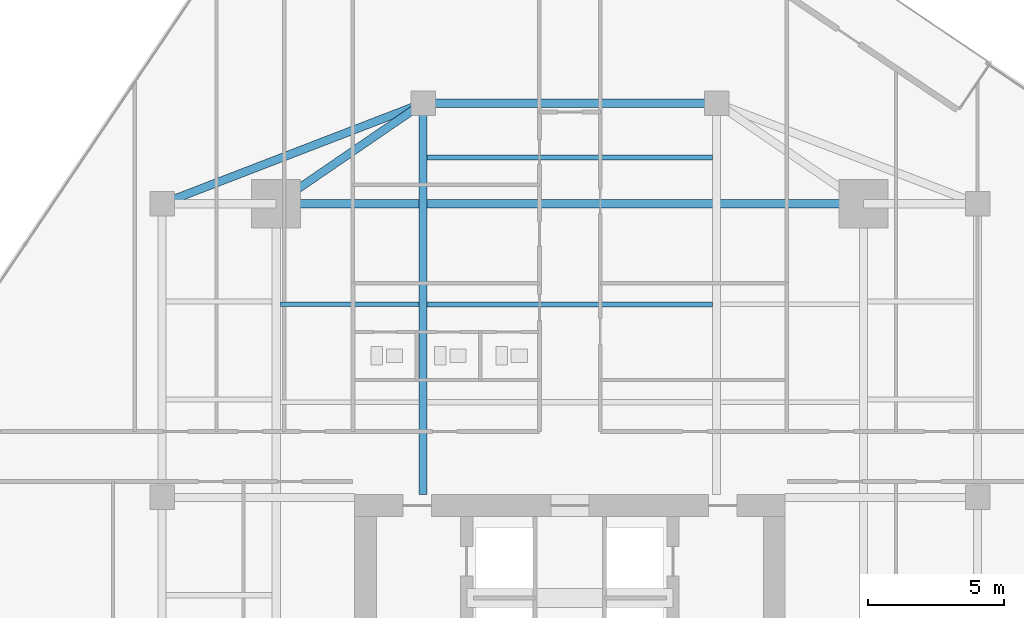
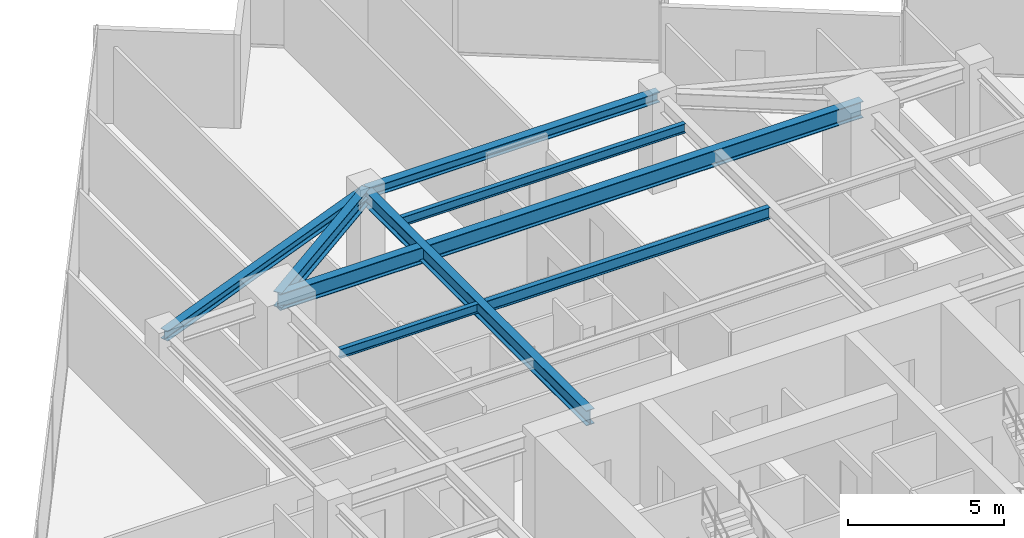
# One storey, part 15 of 27: 8 beams.
"""IFC4 building model written with IfcOpenShell, lengths in metres."""

import ifcopenshell
import ifcopenshell.guid

model = None  # the IFC model being written
_history = None  # IfcOwnerHistory: only IFC2X3 demands one
_inside = {}  # id of a spatial element -> (the spatial element, [elements in it])
_under = {}  # id of a project, library or spatial element -> (it, [spatial elements below it])
_declared = {}  # id of a project -> (the project, [libraries it declares])
_typed = {}  # id of a type object -> (the type object, [elements of that type])
_made_of = {}  # id of a material, layer set ... -> (it, [elements and type objects made of it])


def new_model(schema):
    """Start an empty IFC model of exactly this schema.

    Asked for "IFC4X3", IfcOpenShell would pick the latest addendum, in which some entities
    have other attributes; the version numbers below select the first issue.
    IFC2X3 requires an IfcOwnerHistory on every rooted entity: one is made here for all.
    """
    global model, _history
    if schema == "IFC4X3":
        model = ifcopenshell.file(schema_version=(4, 3, 0, 0))
    else:
        model = ifcopenshell.file(schema=schema)
    _inside.clear()
    _under.clear()
    _declared.clear()
    _typed.clear()
    _made_of.clear()
    _history = None
    if model.schema == "IFC2X3":
        org = make("IfcOrganization", Name="unknown")
        user = make(
            "IfcPersonAndOrganization",
            ThePerson=make("IfcPerson", FamilyName="unknown"),
            TheOrganization=org,
        )
        app = make(
            "IfcApplication",
            ApplicationDeveloper=org,
            Version="unknown",
            ApplicationFullName="unknown",
            ApplicationIdentifier="unknown",
        )
        _history = make(
            "IfcOwnerHistory",
            OwningUser=user,
            OwningApplication=app,
            ChangeAction="ADDED",
            CreationDate=0,
        )
    return model


def make(cls, **values):
    """One entity of the class cls with the attributes given. An attribute that is None is left unset."""
    return model.create_entity(
        cls, **{name: value for name, value in values.items() if value is not None}
    )


def rooted(cls, **values):
    """An entity with a GlobalId (a new one), such as an element, a storey or a relation."""
    return make(cls, GlobalId=ifcopenshell.guid.new(), OwnerHistory=_history, **values)


def si_unit(unit_type, name, prefix=None):
    """IfcSIUnit, for example si_unit("LENGTHUNIT", "METRE", prefix="MILLI")."""
    return make("IfcSIUnit", UnitType=unit_type, Prefix=prefix, Name=name)


def assignment(units):
    """IfcUnitAssignment: the units of a project."""
    return None if units is None else make("IfcUnitAssignment", Units=units)


def point(xyz):
    """IfcCartesianPoint."""
    return None if xyz is None else make("IfcCartesianPoint", Coordinates=xyz)


def direction(xyz):
    """IfcDirection."""
    return None if xyz is None else make("IfcDirection", DirectionRatios=xyz)


def frame(location, z_axis=None, x_axis=None):
    """IfcAxis2Placement3D, a coordinate frame: its origin and axes. An axis left out is left unset."""
    return make(
        "IfcAxis2Placement3D",
        Location=point(location),
        Axis=direction(z_axis),
        RefDirection=direction(x_axis),
    )


def frame_2d(location, x_axis=None):
    """IfcAxis2Placement2D, a coordinate frame in the plane: its origin and x axis."""
    return make(
        "IfcAxis2Placement2D", Location=point(location), RefDirection=direction(x_axis)
    )


def origin():
    """The frame at (0, 0, 0) with its axes left unset."""
    return frame((0.0, 0.0, 0.0))


def origin_2d():
    """The frame at (0, 0) in the plane with its x axis left unset."""
    return frame_2d((0.0, 0.0))


def place(relative_to, where):
    """IfcLocalPlacement: puts the frame where relative to a parent placement (None: the world)."""
    return make(
        "IfcLocalPlacement", PlacementRelTo=relative_to, RelativePlacement=where
    )


def context(
    kind, dimensions, precision=None, world=None, true_north=None, identifier=None
):
    """IfcGeometricRepresentationContext, for example the 3D "Model" context."""
    return make(
        "IfcGeometricRepresentationContext",
        ContextIdentifier=identifier,
        ContextType=kind,
        CoordinateSpaceDimension=dimensions,
        Precision=precision,
        WorldCoordinateSystem=world,
        TrueNorth=true_north,
    )


def subcontext(parent, identifier, kind, view, scale=None):
    """IfcGeometricRepresentationSubContext, for example "Body" below "Model"."""
    return make(
        "IfcGeometricRepresentationSubContext",
        ContextIdentifier=identifier,
        ContextType=kind,
        ParentContext=parent,
        TargetScale=scale,
        TargetView=view,
    )


def project(units=None, contexts=None):
    """IfcProject with its units and contexts."""
    return rooted(
        "IfcProject",
        Name="project",
        RepresentationContexts=contexts,
        UnitsInContext=assignment(units),
    )


def spatial(cls, under=None, at=None, **own):
    """A site, building, storey or space (cls), placed at a placement, below another one or the project."""
    s = rooted(cls, ObjectPlacement=at, **own)
    if under is not None:
        _under.setdefault(under.id(), (under, []))[1].append(s)
    return s


def profile(cls, at=None, kind="AREA", **sizes):
    """A parametric profile (cls). Its sizes go by their IFC names, for example OverallWidth=200.0."""
    return make(cls, ProfileType=kind, Position=at, **sizes)


def i_section(**sizes):
    """IfcIShapeProfileDef."""
    return profile("IfcIShapeProfileDef", **sizes)


def extrude(swept, where, along, depth):
    """IfcExtrudedAreaSolid: the profile swept, set in the frame where, extruded along a direction by depth."""
    return make(
        "IfcExtrudedAreaSolid",
        SweptArea=swept,
        Position=where,
        ExtrudedDirection=direction(along),
        Depth=depth,
    )


def shape(context_of_items, identifier, shape_type, items):
    """IfcShapeRepresentation: the items that make up one representation, for example the "Body"."""
    return make(
        "IfcShapeRepresentation",
        ContextOfItems=context_of_items,
        RepresentationIdentifier=identifier,
        RepresentationType=shape_type,
        Items=items,
    )


def source(mapping_origin, context_of_items, identifier, shape_type, items):
    """IfcRepresentationMap: a shape defined once, which mapped items show again and again."""
    return make(
        "IfcRepresentationMap",
        MappingOrigin=mapping_origin,
        MappedRepresentation=shape(context_of_items, identifier, shape_type, items),
    )


def transform(
    local_origin,
    x_axis=None,
    y_axis=None,
    z_axis=None,
    scale=None,
    scale2=None,
    scale3=None,
    uniform=True,
):
    """IfcCartesianTransformationOperator3D, or its non-uniform kind. x_axis, y_axis, z_axis: its Axis1, 2, 3."""
    if uniform:
        return make(
            "IfcCartesianTransformationOperator3D",
            Axis1=direction(x_axis),
            Axis2=direction(y_axis),
            LocalOrigin=point(local_origin),
            Scale=scale,
            Axis3=direction(z_axis),
        )
    return make(
        "IfcCartesianTransformationOperator3DnonUniform",
        Axis1=direction(x_axis),
        Axis2=direction(y_axis),
        LocalOrigin=point(local_origin),
        Scale=scale,
        Axis3=direction(z_axis),
        Scale2=scale2,
        Scale3=scale3,
    )


def mapped(mapping_source, mapping_target):
    """IfcMappedItem: shows the shape of a source again, moved by a transform."""
    return make(
        "IfcMappedItem", MappingSource=mapping_source, MappingTarget=mapping_target
    )


def material(Name=None, Category=None):
    """IfcMaterial."""
    return make("IfcMaterial", Name=Name, Category=Category)


def material_profile(
    of_material, cross_section, Name=None, Category=None, Priority=None
):
    """IfcMaterialProfile: a cross section and its material."""
    return make(
        "IfcMaterialProfile",
        Name=Name,
        Material=of_material,
        Profile=cross_section,
        Priority=Priority,
        Category=Category,
    )


def profile_set(profiles, Name=None, composite=None):
    """IfcMaterialProfileSet."""
    return make(
        "IfcMaterialProfileSet",
        Name=Name,
        MaterialProfiles=profiles,
        CompositeProfile=composite,
    )


def made_of(thing, what):
    """Note that an element or type object is made of a material, layer set ...; save() writes the relation."""
    if what is not None:
        _made_of.setdefault(what.id(), (what, []))[1].append(thing)
    return thing


def type_object(cls, material=None, **own):
    """A type object (cls), such as IfcWallType, which elements share."""
    return made_of(rooted(cls, **own), material)


def type_shapes(of_type, sources):
    """Give a type object the sources (RepresentationMaps) that its elements show as mapped items."""
    of_type.RepresentationMaps = sources


def element(
    cls,
    number,
    at=None,
    inside=None,
    cuts=None,
    type_object=None,
    material=None,
    context=None,
    identifier="Body",
    shape_type=None,
    held_by="IfcProductDefinitionShape",
    body=None,
    shapes=None,
    **own,
):
    """One element of the class cls, such as IfcWall. Its Tag is "e" and its number.

    at: its placement. inside: the storey or other place that contains it. cuts: it is an
    opening in that element (IfcRelVoidsElement). A single representation is given by context,
    identifier, shape_type and body (its items); several are given by shapes. held_by: the class
    of the entity that holds the representations. save() writes the other relations.
    """
    e = rooted(cls, Tag="e%d" % number, ObjectPlacement=at, **own)
    if body is not None:
        shapes = [shape(context, identifier, shape_type, body)]
    if shapes is not None:
        e.Representation = make(held_by, Representations=shapes)
    if inside is not None:
        _inside.setdefault(inside.id(), (inside, []))[1].append(e)
    if cuts is not None:
        rooted(
            "IfcRelVoidsElement", RelatingBuildingElement=cuts, RelatedOpeningElement=e
        )
    if type_object is not None:
        _typed.setdefault(type_object.id(), (type_object, []))[1].append(e)
    return made_of(e, material)


def aggregate(whole, parts):
    """IfcRelAggregates: a whole, such as a stair, and the parts it consists of."""
    return rooted("IfcRelAggregates", RelatingObject=whole, RelatedObjects=parts)


def save(model, path):
    """Write the relations noted so far, then the file.

    IfcRelAggregates (storeys below a building ...), IfcRelContainedInSpatialStructure (elements
    in a storey), IfcRelDefinesByType, IfcRelAssociatesMaterial and IfcRelDeclares: one each for
    every whole, place, type object, material and project.
    """
    for whole, parts in _under.values():
        aggregate(whole, parts)
    for where, things in _inside.values():
        rooted(
            "IfcRelContainedInSpatialStructure",
            RelatedElements=things,
            RelatingStructure=where,
        )
    for kind, things in _typed.values():
        rooted("IfcRelDefinesByType", RelatedObjects=things, RelatingType=kind)
    for what, things in _made_of.values():
        rooted("IfcRelAssociatesMaterial", RelatedObjects=things, RelatingMaterial=what)
    for by, libraries in _declared.values():
        rooted("IfcRelDeclares", RelatingContext=by, RelatedDefinitions=libraries)
    model.write(path)


model = new_model("IFC4")

# Units and contexts
model_context = context("Model", 3, precision=1e-05, world=origin(), true_north=direction((0.0, 1.0)))
body_context = subcontext(model_context, "Body", "Model", "MODEL_VIEW")
ifc_project = project(units=[si_unit("LENGTHUNIT", "METRE"), si_unit("AREAUNIT", "SQUARE_METRE"), si_unit("VOLUMEUNIT", "CUBIC_METRE"), si_unit("PLANEANGLEUNIT", "RADIAN"), si_unit("MASSUNIT", "GRAM", prefix="KILO")], contexts=[model_context])

# Site, building, storey
site_placement = place(None, origin())
site = spatial("IfcSite", under=ifc_project, at=site_placement, CompositionType="ELEMENT")
building_placement = place(site_placement, origin())
building = spatial("IfcBuilding", under=site, at=building_placement, Name="Krantzveldt Concourse Tower", CompositionType="ELEMENT")
storey_placement = place(building_placement, frame((0.0, 0.0, 185.699951171875)))
storey = spatial("IfcBuildingStorey", under=building, at=storey_placement, Name="L45", CompositionType="ELEMENT", Elevation=185.699951171875)

# Beams
ifc_material = material(Name="Steel S355JR", Category="steel")
ifc_material_profile_1 = material_profile(ifc_material, i_section(OverallWidth=0.300048828125, OverallDepth=0.639892578125, WebThickness=0.013427734375, FlangeThickness=0.02587890625, FilletRadius=0.027099609375, at=origin_2d()), Name="Steel S355JR", Category="steel")
ifc_profile_set_1 = profile_set([ifc_material_profile_1], Name="Steel S355JR - HEA 650")
beam_type_1 = type_object("IfcBeamType", Name="BM-B-HEA650", PredefinedType="BEAM", material=ifc_profile_set_1)
shared_shape_1 = source(origin(), body_context, "Body", "SweptSolid", [
    extrude(i_section(OverallWidth=0.300048828125, OverallDepth=0.639892578125, WebThickness=0.013427734375, FlangeThickness=0.02587890625, FilletRadius=0.027099609375, at=origin_2d()), origin(), (0.0, 0.0, 1.0), 21.60009765625),
])
type_shapes(beam_type_1, [shared_shape_1])
beam_1_placement = place(storey_placement, frame((25.199951171875, 37.5, 3.35009765625), z_axis=(1.0, 0.0, 0.0), x_axis=(0.0, 1.0, 0.0)))
element("IfcBeam", 1, at=beam_1_placement, inside=storey, type_object=beam_type_1, Name="L45 Tower Girder BG-MN", PredefinedType="BEAM", context=body_context, shape_type="MappedRepresentation", body=[
    mapped(shared_shape_1, transform((0.0, 0.0, 0.0), x_axis=(1.0, 0.0, 0.0), y_axis=(0.0, 1.0, 0.0), z_axis=(0.0, 0.0, 1.0), scale=1.0)),
])
ifc_material_profile_2 = material_profile(ifc_material, i_section(OverallWidth=0.300048828125, OverallDepth=0.590087890625, WebThickness=0.012939453125, FlangeThickness=0.02490234375, FilletRadius=0.027099609375, at=origin_2d()), Name="Steel S355JR", Category="steel")
ifc_profile_set_2 = profile_set([ifc_material_profile_2], Name="Steel S355JR - HEA 600")
beam_type_2 = type_object("IfcBeamType", Name="BM-B-HEA600", PredefinedType="BEAM", material=ifc_profile_set_2)
shared_shape_2 = source(origin(), body_context, "Body", "SweptSolid", [
    extrude(i_section(OverallWidth=0.300048828125, OverallDepth=0.590087890625, WebThickness=0.012939453125, FlangeThickness=0.02490234375, FilletRadius=0.027099609375, at=origin_2d()), origin(), (0.0, 0.0, 1.0), 14.39990234375),
])
beam_2_placement = place(storey_placement, frame((30.60009765625, 26.800048828125, 3.375), z_axis=(0.0, 1.0, 0.0), x_axis=(-1.0, 0.0, 0.0)))
element("IfcBeam", 2, at=beam_2_placement, inside=storey, type_object=beam_type_2, Name="L45 Tower Girder BG-CNW", PredefinedType="BEAM", context=body_context, shape_type="MappedRepresentation", body=[
    mapped(shared_shape_2, transform((0.0, 0.0, 0.0), x_axis=(1.0, 0.0, 0.0), y_axis=(0.0, 1.0, 0.0), z_axis=(0.0, 0.0, 1.0), scale=1.0)),
])
shared_shape_3 = source(origin(), body_context, "Body", "SweptSolid", [
    extrude(i_section(OverallWidth=0.300048828125, OverallDepth=0.590087890625, WebThickness=0.012939453125, FlangeThickness=0.02490234375, FilletRadius=0.027099609375, at=origin_2d()), origin(), (0.0, 0.0, 1.0), 6.546142578125),
])
type_shapes(beam_type_2, [shared_shape_2, shared_shape_3])
beam_3_placement = place(storey_placement, frame((25.199951171875, 37.5, 3.375), z_axis=(0.824942999484, 0.565215930068, 0.0), x_axis=(-0.565215930068, 0.824942999484, 0.0)))
element("IfcBeam", 3, at=beam_3_placement, inside=storey, type_object=beam_type_2, Name="L45 Tower Girder BR-RL4", PredefinedType="BEAM", context=body_context, shape_type="MappedRepresentation", body=[
    mapped(shared_shape_3, transform((0.0, 0.0, 0.0), x_axis=(1.0, 0.0, 0.0), y_axis=(0.0, 1.0, 0.0), z_axis=(0.0, 0.0, 1.0), scale=1.0)),
])
ifc_material_profile_3 = material_profile(ifc_material, i_section(OverallWidth=0.18994140625, OverallDepth=0.449951171875, WebThickness=0.009521484375, FlangeThickness=0.0146484375, FilletRadius=0.02099609375, at=origin_2d()), Name="Steel S355JR", Category="steel")
ifc_profile_set_3 = profile_set([ifc_material_profile_3], Name="Steel S355JR - IPE 450")
beam_type_3 = type_object("IfcBeamType", Name="BM-J-IPE450", PredefinedType="JOIST", material=ifc_profile_set_3)
shared_shape_4 = source(origin(), body_context, "Body", "SweptSolid", [
    extrude(i_section(OverallWidth=0.18994140625, OverallDepth=0.449951171875, WebThickness=0.009521484375, FlangeThickness=0.0146484375, FilletRadius=0.02099609375, at=origin_2d()), origin(), (0.0, 0.0, 1.0), 10.5),
])
type_shapes(beam_type_3, [shared_shape_4])
beam_4_placement = place(storey_placement, frame((30.75, 33.800048828125, 3.445068359375), z_axis=(1.0, 0.0, 0.0), x_axis=(0.0, 1.0, 0.0)))
element("IfcBeam", 4, at=beam_4_placement, inside=storey, type_object=beam_type_3, Name="L45 Secondary Floor Joist JN-C2", PredefinedType="JOIST", context=body_context, shape_type="MappedRepresentation", body=[
    mapped(shared_shape_4, transform((0.0, 0.0, 0.0), x_axis=(1.0, 0.0, 0.0), y_axis=(0.0, 1.0, 0.0), z_axis=(0.0, 0.0, 1.0), scale=1.0)),
])
ifc_material_profile_4 = material_profile(ifc_material, i_section(OverallWidth=0.300048828125, OverallDepth=0.389892578125, WebThickness=0.010986328125, FlangeThickness=0.01904296875, FilletRadius=0.027099609375, at=origin_2d()), Name="Steel S355JR", Category="steel")
ifc_profile_set_4 = profile_set([ifc_material_profile_4], Name="Steel S355JR - HEA 400")
beam_type_4 = type_object("IfcBeamType", Name="BM-SP-HEA400", PredefinedType="SPANDREL", material=ifc_profile_set_4)
shared_shape_5 = source(origin(), body_context, "Body", "SweptSolid", [
    extrude(i_section(OverallWidth=0.300048828125, OverallDepth=0.389892578125, WebThickness=0.010986328125, FlangeThickness=0.01904296875, FilletRadius=0.027099609375, at=origin_2d()), origin(), (0.0, 0.0, 1.0), 10.288330078125),
])
beam_5_placement = place(storey_placement, frame((21.0, 37.5, 3.47509765625), z_axis=(0.933097690408, 0.359622997257, 0.0), x_axis=(-0.359622997257, 0.933097690408, 0.0)))
element("IfcBeam", 5, at=beam_5_placement, inside=storey, type_object=beam_type_4, Name="L45 Tower Girder SP-R03", PredefinedType="SPANDREL", context=body_context, shape_type="MappedRepresentation", body=[
    mapped(shared_shape_5, transform((0.0, 0.0, 0.0), x_axis=(1.0, 0.0, 0.0), y_axis=(0.0, 1.0, 0.0), z_axis=(0.0, 0.0, 1.0), scale=1.0)),
])
shared_shape_6 = source(origin(), body_context, "Body", "SweptSolid", [
    extrude(i_section(OverallWidth=0.300048828125, OverallDepth=0.389892578125, WebThickness=0.010986328125, FlangeThickness=0.01904296875, FilletRadius=0.027099609375, at=origin_2d()), origin(), (0.0, 0.0, 1.0), 10.7998046875),
])
type_shapes(beam_type_4, [shared_shape_5, shared_shape_6])
beam_6_placement = place(storey_placement, frame((30.60009765625, 41.199951171875, 3.47509765625), z_axis=(1.0, 0.0, 0.0), x_axis=(0.0, 1.0, 0.0)))
element("IfcBeam", 6, at=beam_6_placement, inside=storey, type_object=beam_type_4, Name="L45 Tower Girder SP-R04", PredefinedType="SPANDREL", context=body_context, shape_type="MappedRepresentation", body=[
    mapped(shared_shape_6, transform((0.0, 0.0, 0.0), x_axis=(1.0, 0.0, 0.0), y_axis=(0.0, 1.0, 0.0), z_axis=(0.0, 0.0, 1.0), scale=1.0)),
])
ifc_material_profile_5 = material_profile(ifc_material, i_section(OverallWidth=0.169921875, OverallDepth=0.360107421875, WebThickness=0.008056640625, FlangeThickness=0.0126953125, FilletRadius=0.01806640625, at=origin_2d()), Name="Steel S355JR", Category="steel")
ifc_profile_set_5 = profile_set([ifc_material_profile_5], Name="Steel S355JR - IPE 360")
beam_type_5 = type_object("IfcBeamType", Name="BM-J-IPE360", PredefinedType="JOIST", material=ifc_profile_set_5)
shared_shape_7 = source(origin(), body_context, "Body", "SweptSolid", [
    extrude(i_section(OverallWidth=0.169921875, OverallDepth=0.360107421875, WebThickness=0.008056640625, FlangeThickness=0.0126953125, FilletRadius=0.01806640625, at=origin_2d()), origin(), (0.0, 0.0, 1.0), 10.5),
])
beam_7_placement = place(storey_placement, frame((30.75, 39.199951171875, 3.489990234375), z_axis=(1.0, 0.0, 0.0), x_axis=(0.0, 1.0, 0.0)))
element("IfcBeam", 7, at=beam_7_placement, inside=storey, type_object=beam_type_5, Name="L45 Secondary Floor Joist JN-C3", PredefinedType="JOIST", context=body_context, shape_type="MappedRepresentation", body=[
    mapped(shared_shape_7, transform((0.0, 0.0, 0.0), x_axis=(1.0, 0.0, 0.0), y_axis=(0.0, 1.0, 0.0), z_axis=(0.0, 0.0, 1.0), scale=1.0)),
])
shared_shape_8 = source(origin(), body_context, "Body", "SweptSolid", [
    extrude(i_section(OverallWidth=0.169921875, OverallDepth=0.360107421875, WebThickness=0.008056640625, FlangeThickness=0.0126953125, FilletRadius=0.01806640625, at=origin_2d()), origin(), (0.0, 0.0, 1.0), 5.099853515625),
])
type_shapes(beam_type_5, [shared_shape_7, shared_shape_8])
beam_8_placement = place(storey_placement, frame((25.35009765625, 33.800048828125, 3.489990234375), z_axis=(1.0, 0.0, 0.0), x_axis=(0.0, 1.0, 0.0)))
element("IfcBeam", 8, at=beam_8_placement, inside=storey, type_object=beam_type_5, Name="L45 Secondary Floor Joist JN-W2", PredefinedType="JOIST", context=body_context, shape_type="MappedRepresentation", body=[
    mapped(shared_shape_8, transform((0.0, 0.0, 0.0), x_axis=(1.0, 0.0, 0.0), y_axis=(0.0, 1.0, 0.0), z_axis=(0.0, 0.0, 1.0), scale=1.0)),
])

save(model, "model.ifc")
